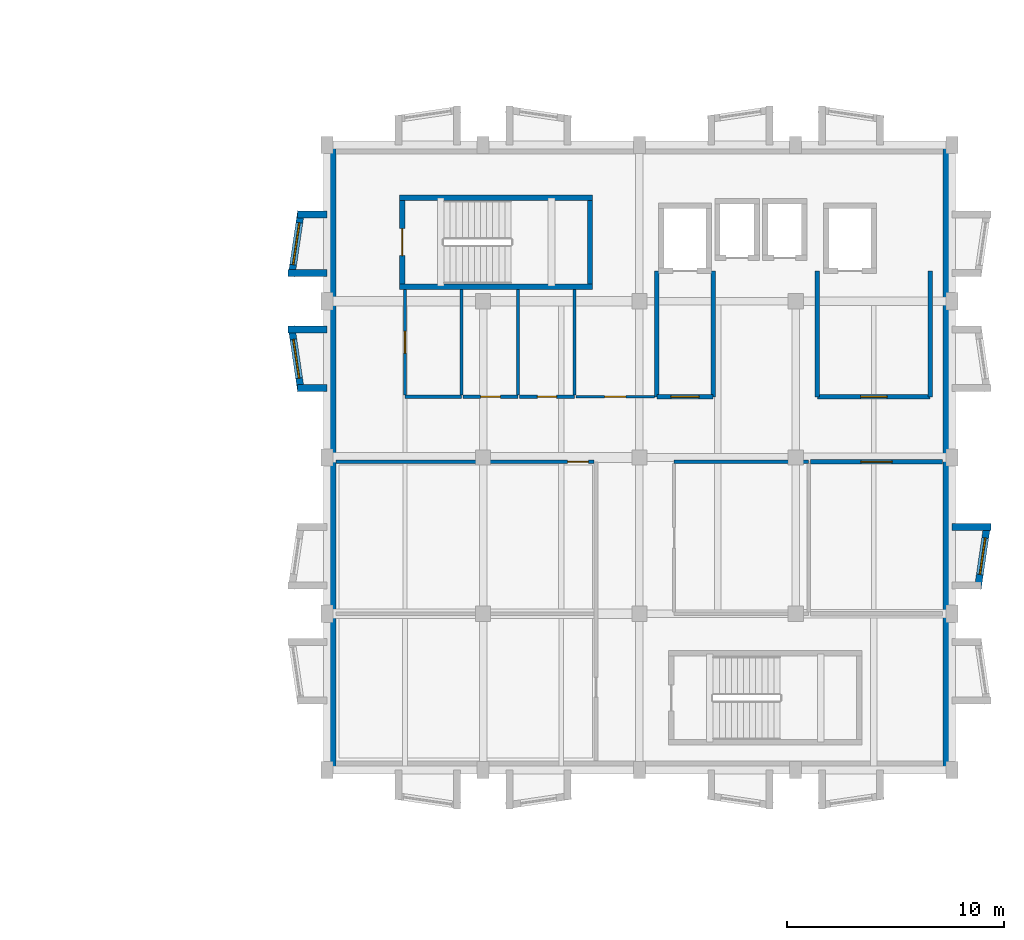
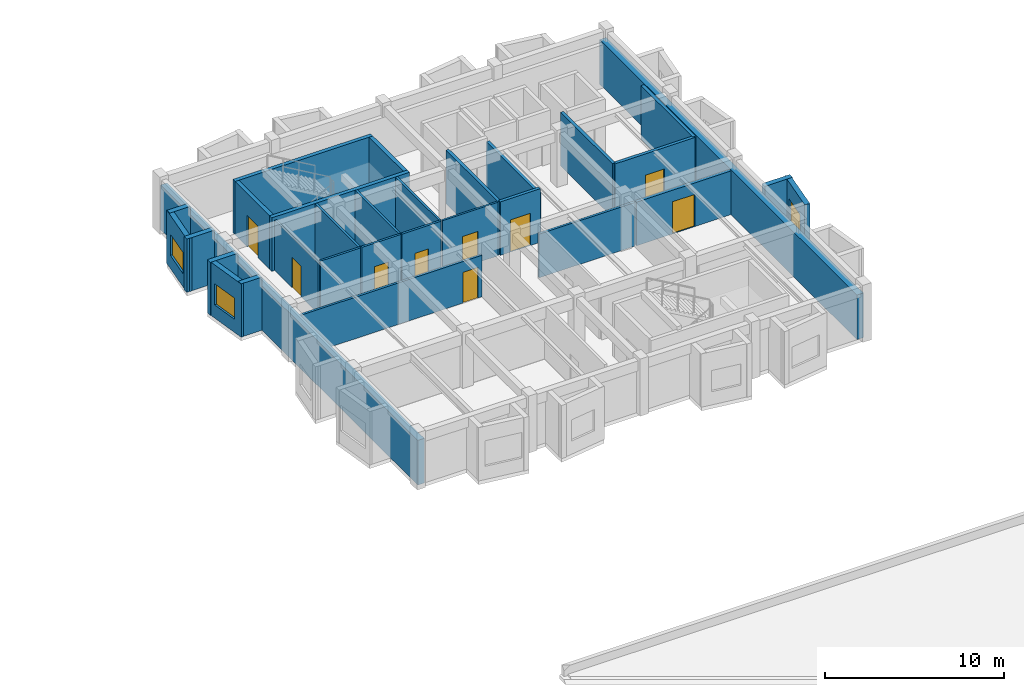
# One storey, part 14 of 20: 31 walls, 9 doors, 3 windows, 12 openings.
"""IFC4 building model written with IfcOpenShell, lengths in metres."""

from ifc_helpers import new_model, si_unit, direction, frame, frame_2d, origin, place, context, subcontext, project, spatial, rectangle, extrude, material, layer, layer_set, type_object, element, fill, save


model = new_model("IFC4")

# Units and contexts
model_context = context("Model", 3, precision=1e-05, world=origin(), true_north=direction((0.0, 1.0)))
body_context = subcontext(model_context, "Body", "Model", "MODEL_VIEW")
ifc_project = project(units=[si_unit("LENGTHUNIT", "METRE"), si_unit("AREAUNIT", "SQUARE_METRE"), si_unit("VOLUMEUNIT", "CUBIC_METRE"), si_unit("PLANEANGLEUNIT", "RADIAN"), si_unit("MASSUNIT", "GRAM", prefix="KILO")], contexts=[model_context])

# Site, building, storey
site_placement = place(None, origin())
site = spatial("IfcSite", under=ifc_project, at=site_placement, CompositionType="ELEMENT")
building_placement = place(site_placement, origin())
building = spatial("IfcBuilding", under=site, at=building_placement, Name="Bramveld Media Centre", CompositionType="ELEMENT")
storey_placement = place(building_placement, frame((0.0, 0.0, 18.0)))
storey = spatial("IfcBuildingStorey", under=building, at=storey_placement, Name="L04", CompositionType="ELEMENT", Elevation=18.0)

# Walls
ifc_material_1 = material(Name="Concrete C40/50 stair & lift core wall", Category="concrete")
ifc_layer_1 = layer(ifc_material_1, 0.25)
ifc_layer_set_1 = layer_set([ifc_layer_1], Name="Concrete C40/50 stair & lift core wall")
wall_type_1 = type_object("IfcWallType", Name="CWALL-SHEAR-250", PredefinedType="SHEAR", material=ifc_layer_set_1)
for number, where, z_axis, x_axis, name in (
    (1, (134.550048828125, 105.47509765625, 0.0), (0.0, 0.0, 1.0), (1.0, 0.0, 0.0), "ST-01 L04 stair core shear wall S"),
    (2, (143.449951171875, 109.574951171875, 0.0), (0.0, 0.0, 1.0), (-1.0, 0.0, 0.0), "ST-01 L04 stair core shear wall N"),
):
    element("IfcWall", number, at=place(storey_placement, frame(where, z_axis=z_axis, x_axis=x_axis)), inside=storey, type_object=wall_type_1, Name=name, PredefinedType="SHEAR", context=body_context, shape_type="SweptSolid", body=[
        extrude(rectangle(XDim=8.89990234375, YDim=0.25, at=frame_2d((4.449951171875, 0.0))), origin(), (0.0, 0.0, 1.0), 3.659912109375),
    ])

# Wall, opening, door
wall_1_placement = place(storey_placement, frame((134.675048828125, 109.449951171875, 0.0), z_axis=(0.0, 0.0, 1.0), x_axis=(0.0, -1.0, 0.0)))
wall_1 = element("IfcWall", 3, at=wall_1_placement, inside=storey, type_object=wall_type_1, Name="ST-01 L04 stair core shear wall W", PredefinedType="SHEAR", context=body_context, shape_type="SweptSolid", body=[
    extrude(rectangle(XDim=3.849853515625, YDim=0.25, at=frame_2d((1.9248046875, 0.0))), origin(), (0.0, 0.0, 1.0), 3.659912109375),
])
opening_1_placement = place(wall_1_placement, frame((1.300048828125, 0.0, 0.0)))
opening_1 = element("IfcOpeningElement", 4, at=opening_1_placement, cuts=wall_1, Name="Opening SD-01-L04", PredefinedType="OPENING", context=body_context, shape_type="SweptSolid", body=[
    extrude(rectangle(XDim=1.25, YDim=2.14990234375, at=frame_2d((0.625, 1.074951171875))), frame((0.0, 0.136962890625, 0.0), z_axis=(0.0, -1.0, 0.0), x_axis=(1.0, 0.0, 0.0)), (0.0, 0.0, 1.0), 0.27392578125),
])
ifc_material_2 = material(Name="Painted galvanized steel acoustic fire door with intumescent smoke seals", Category="steel")
door_type_1 = type_object("IfcDoorType", Name="DR-ST-1250", OperationType="NOTDEFINED", PredefinedType="DOOR", material=ifc_material_2)
door_1_placement = place(opening_1_placement, origin())
door_1 = element("IfcDoor", 5, at=door_1_placement, inside=storey, type_object=door_type_1, Name="ST-01 L04 pressurized stair fire door", OperationType="SINGLE_SWING_LEFT", OverallHeight=2.14990234375, OverallWidth=1.25, PredefinedType="DOOR", context=body_context, shape_type="SweptSolid", body=[
    extrude(rectangle(XDim=1.25, YDim=2.14990234375, at=frame_2d((0.625, 1.074951171875))), frame((0.0, 0.02490234375, 0.0), z_axis=(0.0, -1.0, 0.0), x_axis=(1.0, 0.0, 0.0)), (0.0, 0.0, 1.0), 0.050048828125),
])
fill(opening_1, door_1)

# Walls
wall_2_placement = place(storey_placement, frame((143.324951171875, 105.60009765625, 0.0), z_axis=(0.0, 0.0, 1.0), x_axis=(0.0, 1.0, 0.0)))
element("IfcWall", 6, at=wall_2_placement, inside=storey, type_object=wall_type_1, Name="ST-01 L04 stair core shear wall E", PredefinedType="SHEAR", context=body_context, shape_type="SweptSolid", body=[
    extrude(rectangle(XDim=3.849853515625, YDim=0.25, at=frame_2d((1.9248046875, 0.0))), origin(), (0.0, 0.0, 1.0), 3.659912109375),
])
ifc_material_3 = material(Name="Flemish red-brown clay facing brick cavity wall with concrete C35/45 inner leaf", Category="masonry")
ifc_layer_2 = layer(ifc_material_3, 0.419921875)
ifc_layer_set_2 = layer_set([ifc_layer_2], Name="Flemish red-brown clay facing brick cavity wall with concrete C35/45 inner leaf")
wall_type_2 = type_object("IfcWallType", Name="EW-BRK-420", PredefinedType="SOLIDWALL", material=ifc_layer_set_2)
for number, where, z_axis, x_axis, name in (
    (7, (159.7900390625, 112.0, 0.0), (0.0, 0.0, 1.0), (0.0, -1.0, 0.0), "V7 L04 E facing brick exterior wall"),
    (8, (131.409912109375, 83.199951171875, 0.0), (0.0, 0.0, 1.0), (0.0, 1.0, 0.0), "V7 L04 W facing brick exterior wall"),
):
    element("IfcWall", number, at=place(storey_placement, frame(where, z_axis=z_axis, x_axis=x_axis)), inside=storey, type_object=wall_type_2, Name=name, PredefinedType="SOLIDWALL", context=body_context, shape_type="SweptSolid", body=[
        extrude(rectangle(XDim=28.800048828125, YDim=0.419921875, at=frame_2d((14.39990234375, 0.0))), origin(), (0.0, 0.0, 1.0), 3.054931640625),
    ])

# Wall, opening, window
ifc_material_4 = material(Name="Precast concrete C40/50 & brick-slip faceted bay cheek wall", Category="masonry")
ifc_layer_3 = layer(ifc_material_4, 0.320068359375)
ifc_layer_set_3 = layer_set([ifc_layer_3], Name="Precast concrete C40/50 & brick-slip faceted bay cheek wall")
wall_type_3 = type_object("IfcWallType", Name="EW-FACET-320", PredefinedType="SOLIDWALL", material=ifc_layer_set_3)
wall_3_placement = place(storey_placement, frame((161.18994140625, 91.550048828125, 0.0), z_axis=(0.0, 0.0, 1.0), x_axis=(0.146119746268, 0.989266910268, 0.0)))
wall_3 = element("IfcWall", 9, at=wall_3_placement, inside=storey, type_object=wall_type_3, Name="V7 L04 E angled faceted bay front wall 2", PredefinedType="SOLIDWALL", context=body_context, shape_type="SweptSolid", body=[
    extrude(rectangle(XDim=3.032470703125, YDim=0.320068359375, at=frame_2d((1.51611328125, 0.0))), origin(), (0.0, 0.0, 1.0), 3.639892578125),
])
opening_2_placement = place(wall_3_placement, frame((0.666259765625, 0.0, 0.89990234375)))
opening_2 = element("IfcOpeningElement", 10, at=opening_2_placement, cuts=wall_3, Name="Opening W-29", PredefinedType="OPENING", context=body_context, shape_type="SweptSolid", body=[
    extrude(rectangle(XDim=1.699951171875, YDim=1.60009765625, at=frame_2d((0.85009765625, 0.800048828125))), frame((0.0, 0.171875, 0.0), z_axis=(0.0, -1.0, 0.0), x_axis=(1.0, 0.0, 0.0)), (0.0, 0.0, 1.0), 0.343994140625),
])
ifc_material_5 = material(Name="Thermally broken anodized bronze aluminium frame with triple acoustic glazing", Category="aluminium")
window_type_1 = type_object("IfcWindowType", Name="WIN-FAC-29", PartitioningType="SINGLE_PANEL", PredefinedType="WINDOW", material=ifc_material_5)
window_1_placement = place(opening_2_placement, origin())
window_1 = element("IfcWindow", 11, at=window_1_placement, inside=storey, type_object=window_type_1, Name="V7 L04 E faceted bay window 2", OverallHeight=1.60009765625, OverallWidth=1.699951171875, PartitioningType="SINGLE_PANEL", PredefinedType="WINDOW", context=body_context, shape_type="SweptSolid", body=[
    extrude(rectangle(XDim=1.699951171875, YDim=1.60009765625, at=frame_2d((0.85009765625, 0.800048828125))), frame((0.0, 0.030029296875, 0.0), z_axis=(0.0, -1.0, 0.0), x_axis=(1.0, 0.0, 0.0)), (0.0, 0.0, 1.0), 0.06005859375),
])
fill(opening_2, window_1)

# Wall
wall_4_placement = place(storey_placement, frame((160.0, 94.389892578125, 0.0), z_axis=(0.0, 0.0, 1.0), x_axis=(1.0, 0.0, 0.0)))
element("IfcWall", 12, at=wall_4_placement, inside=storey, type_object=wall_type_3, Name="V7 L04 E faceted bay cheek wall", PredefinedType="SOLIDWALL", context=body_context, shape_type="SweptSolid", body=[
    extrude(rectangle(XDim=1.79296875, YDim=0.320068359375, at=frame_2d((0.896484375, 0.0))), origin(), (0.0, 0.0, 1.0), 3.639892578125),
])

# Wall, opening, window
wall_5_placement = place(storey_placement, frame((129.56689453125, 103.64990234375, 0.0), z_axis=(0.0, 0.0, 1.0), x_axis=(0.146119746268, -0.989266910268, 0.0)))
wall_5 = element("IfcWall", 13, at=wall_5_placement, inside=storey, type_object=wall_type_3, Name="V7 L04 W angled faceted bay front wall 3", PredefinedType="SOLIDWALL", context=body_context, shape_type="SweptSolid", body=[
    extrude(rectangle(XDim=3.032470703125, YDim=0.320068359375, at=frame_2d((1.51611328125, 0.0))), origin(), (0.0, 0.0, 1.0), 3.639892578125),
])
opening_3_placement = place(wall_5_placement, frame((0.6162109375, 0.0, 0.89990234375)))
opening_3 = element("IfcOpeningElement", 14, at=opening_3_placement, cuts=wall_5, Name="Opening W-26", PredefinedType="OPENING", context=body_context, shape_type="SweptSolid", body=[
    extrude(rectangle(XDim=1.800048828125, YDim=1.449951171875, at=frame_2d((0.89990234375, 0.72509765625))), frame((0.0, 0.171875, 0.0), z_axis=(0.0, -1.0, 0.0), x_axis=(1.0, 0.0, 0.0)), (0.0, 0.0, 1.0), 0.343994140625),
])
ifc_material_6 = material(Name="Thermally broken anodized bronze aluminium frame with triple acoustic glazing", Category="aluminium")
window_type_2 = type_object("IfcWindowType", Name="WIN-FAC-26", PartitioningType="SINGLE_PANEL", PredefinedType="WINDOW", material=ifc_material_6)
window_2_placement = place(opening_3_placement, origin())
window_2 = element("IfcWindow", 15, at=window_2_placement, inside=storey, type_object=window_type_2, Name="V7 L04 W faceted bay window 3", OverallHeight=1.449951171875, OverallWidth=1.800048828125, PartitioningType="SINGLE_PANEL", PredefinedType="WINDOW", context=body_context, shape_type="SweptSolid", body=[
    extrude(rectangle(XDim=1.800048828125, YDim=1.449951171875, at=frame_2d((0.89990234375, 0.72509765625))), frame((0.0, 0.030029296875, 0.0), z_axis=(0.0, -1.0, 0.0), x_axis=(1.0, 0.0, 0.0)), (0.0, 0.0, 1.0), 0.06005859375),
])
fill(opening_3, window_2)

# Walls
wall_6_placement = place(storey_placement, frame((131.199951171875, 100.81005859375, 0.0), z_axis=(0.0, 0.0, 1.0), x_axis=(-1.0, 0.0, 0.0)))
element("IfcWall", 16, at=wall_6_placement, inside=storey, type_object=wall_type_3, Name="V7 L04 W faceted bay cheek wall", PredefinedType="SOLIDWALL", context=body_context, shape_type="SweptSolid", body=[
    extrude(rectangle(XDim=1.349853515625, YDim=0.320068359375, at=frame_2d((0.6748046875, 0.0))), origin(), (0.0, 0.0, 1.0), 3.639892578125),
])
wall_7_placement = place(storey_placement, frame((131.199951171875, 103.489990234375, 0.0), z_axis=(0.0, 0.0, 1.0), x_axis=(-1.0, 0.0, 0.0)))
element("IfcWall", 17, at=wall_7_placement, inside=storey, type_object=wall_type_3, Name="V7 L04 W faceted bay cheek wall", PredefinedType="SOLIDWALL", context=body_context, shape_type="SweptSolid", body=[
    extrude(rectangle(XDim=1.79296875, YDim=0.320068359375, at=frame_2d((0.896484375, 0.0))), origin(), (0.0, 0.0, 1.0), 3.639892578125),
])

# Wall, opening, window
wall_8_placement = place(storey_placement, frame((130.010009765625, 108.949951171875, 0.0), z_axis=(0.0, 0.0, 1.0), x_axis=(-0.146119746268, -0.989266910268, 0.0)))
wall_8 = element("IfcWall", 18, at=wall_8_placement, inside=storey, type_object=wall_type_3, Name="V7 L04 W angled faceted bay front wall 4", PredefinedType="SOLIDWALL", context=body_context, shape_type="SweptSolid", body=[
    extrude(rectangle(XDim=3.032470703125, YDim=0.320068359375, at=frame_2d((1.51611328125, 0.0))), origin(), (0.0, 0.0, 1.0), 3.639892578125),
])
opening_4_placement = place(wall_8_placement, frame((0.541259765625, 0.0, 0.89990234375)))
opening_4 = element("IfcOpeningElement", 19, at=opening_4_placement, cuts=wall_8, Name="Opening W-27", PredefinedType="OPENING", context=body_context, shape_type="SweptSolid", body=[
    extrude(rectangle(XDim=1.949951171875, YDim=1.449951171875, at=frame_2d((0.97509765625, 0.72509765625))), frame((0.0, 0.171875, 0.0), z_axis=(0.0, -1.0, 0.0), x_axis=(1.0, 0.0, 0.0)), (0.0, 0.0, 1.0), 0.343994140625),
])
ifc_material_7 = material(Name="Thermally broken anodized bronze aluminium frame with triple acoustic glazing", Category="aluminium")
window_type_3 = type_object("IfcWindowType", Name="WIN-FAC-27", PartitioningType="SINGLE_PANEL", PredefinedType="WINDOW", material=ifc_material_7)
window_3_placement = place(opening_4_placement, origin())
window_3 = element("IfcWindow", 20, at=window_3_placement, inside=storey, type_object=window_type_3, Name="V7 L04 W faceted bay window 4", OverallHeight=1.449951171875, OverallWidth=1.949951171875, PartitioningType="SINGLE_PANEL", PredefinedType="WINDOW", context=body_context, shape_type="SweptSolid", body=[
    extrude(rectangle(XDim=1.949951171875, YDim=1.449951171875, at=frame_2d((0.97509765625, 0.72509765625))), frame((0.0, 0.030029296875, 0.0), z_axis=(0.0, -1.0, 0.0), x_axis=(1.0, 0.0, 0.0)), (0.0, 0.0, 1.0), 0.06005859375),
])
fill(opening_4, window_3)

# Walls
wall_9_placement = place(storey_placement, frame((131.199951171875, 106.110107421875, 0.0), z_axis=(0.0, 0.0, 1.0), x_axis=(-1.0, 0.0, 0.0)))
element("IfcWall", 21, at=wall_9_placement, inside=storey, type_object=wall_type_3, Name="V7 L04 W faceted bay cheek wall", PredefinedType="SOLIDWALL", context=body_context, shape_type="SweptSolid", body=[
    extrude(rectangle(XDim=1.79296875, YDim=0.320068359375, at=frame_2d((0.896484375, 0.0))), origin(), (0.0, 0.0, 1.0), 3.639892578125),
])
wall_10_placement = place(storey_placement, frame((131.199951171875, 108.7900390625, 0.0), z_axis=(0.0, 0.0, 1.0), x_axis=(-1.0, 0.0, 0.0)))
element("IfcWall", 22, at=wall_10_placement, inside=storey, type_object=wall_type_3, Name="V7 L04 W faceted bay cheek wall", PredefinedType="SOLIDWALL", context=body_context, shape_type="SweptSolid", body=[
    extrude(rectangle(XDim=1.349853515625, YDim=0.320068359375, at=frame_2d((0.6748046875, 0.0))), origin(), (0.0, 0.0, 1.0), 3.639892578125),
])

# Wall, opening, door
ifc_material_8 = material(Name="Acoustic calcium-silicate & mineral-wool compartment partition", Category="masonry")
ifc_layer_4 = layer(ifc_material_8, 0.199951171875)
ifc_layer_set_4 = layer_set([ifc_layer_4], Name="Acoustic calcium-silicate & mineral-wool compartment partition")
wall_type_4 = type_object("IfcWallType", Name="IW-ACOU-200", PredefinedType="PARTITIONING", material=ifc_layer_set_4)
wall_11_placement = place(storey_placement, frame((146.39990234375, 100.39990234375, 0.0), z_axis=(0.0, 0.0, 1.0), x_axis=(1.0, 0.0, 0.0)))
wall_11 = element("IfcWall", 23, at=wall_11_placement, inside=storey, type_object=wall_type_4, Name="FL-01 L04 EI 120 firefighting lift lobby wall S", PredefinedType="PARTITIONING", context=body_context, shape_type="SweptSolid", body=[
    extrude(rectangle(XDim=2.60009765625, YDim=0.199951171875, at=frame_2d((1.300048828125, 0.0))), origin(), (0.0, 0.0, 1.0), 3.659912109375),
])
opening_5_placement = place(wall_11_placement, frame((0.64990234375, 0.0, 0.0)))
opening_5 = element("IfcOpeningElement", 24, at=opening_5_placement, cuts=wall_11, Name="Opening FD-01-L04", PredefinedType="OPENING", context=body_context, shape_type="SweptSolid", body=[
    extrude(rectangle(XDim=1.300048828125, YDim=2.199951171875, at=frame_2d((0.64990234375, 1.10009765625))), frame((0.0, 0.11181640625, 0.0), z_axis=(0.0, -1.0, 0.0), x_axis=(1.0, 0.0, 0.0)), (0.0, 0.0, 1.0), 0.223876953125),
])
ifc_material_9 = material(Name="Painted galvanized steel acoustic fire door with intumescent smoke seals", Category="steel")
door_type_2 = type_object("IfcDoorType", Name="DR-FFL-1300", OperationType="NOTDEFINED", PredefinedType="DOOR", material=ifc_material_9)
door_2_placement = place(opening_5_placement, origin())
door_2 = element("IfcDoor", 25, at=door_2_placement, inside=storey, type_object=door_type_2, Name="FL-01 L04 firefighting lobby smoke-control door", OperationType="SINGLE_SWING_LEFT", OverallHeight=2.199951171875, OverallWidth=1.300048828125, PredefinedType="DOOR", context=body_context, shape_type="SweptSolid", body=[
    extrude(rectangle(XDim=1.300048828125, YDim=2.199951171875, at=frame_2d((0.64990234375, 1.10009765625))), frame((0.0, 0.02490234375, 0.0), z_axis=(0.0, -1.0, 0.0), x_axis=(1.0, 0.0, 0.0)), (0.0, 0.0, 1.0), 0.050048828125),
])
fill(opening_5, door_2)

# Walls
wall_12_placement = place(storey_placement, frame((146.39990234375, 106.199951171875, 0.0), z_axis=(0.0, 0.0, 1.0), x_axis=(0.0, -1.0, 0.0)))
element("IfcWall", 26, at=wall_12_placement, inside=storey, type_object=wall_type_4, Name="FL-01 L04 EI 120 firefighting lift lobby wall W", PredefinedType="PARTITIONING", context=body_context, shape_type="SweptSolid", body=[
    extrude(rectangle(XDim=5.800048828125, YDim=0.199951171875, at=frame_2d((2.89990234375, 0.0))), origin(), (0.0, 0.0, 1.0), 3.659912109375),
])
wall_13_placement = place(storey_placement, frame((149.0, 100.39990234375, 0.0), z_axis=(0.0, 0.0, 1.0), x_axis=(0.0, 1.0, 0.0)))
element("IfcWall", 27, at=wall_13_placement, inside=storey, type_object=wall_type_4, Name="FL-01 L04 EI 120 firefighting lift lobby wall E", PredefinedType="PARTITIONING", context=body_context, shape_type="SweptSolid", body=[
    extrude(rectangle(XDim=5.800048828125, YDim=0.199951171875, at=frame_2d((2.89990234375, 0.0))), origin(), (0.0, 0.0, 1.0), 3.324951171875),
])

# Wall, opening, door
wall_14_placement = place(storey_placement, frame((153.800048828125, 100.39990234375, 0.0), z_axis=(0.0, 0.0, 1.0), x_axis=(1.0, 0.0, 0.0)))
wall_14 = element("IfcWall", 28, at=wall_14_placement, inside=storey, type_object=wall_type_4, Name="FL-02 L04 EI 120 firefighting lift lobby wall S", PredefinedType="PARTITIONING", context=body_context, shape_type="SweptSolid", body=[
    extrude(rectangle(XDim=5.199951171875, YDim=0.199951171875, at=frame_2d((2.60009765625, 0.0))), origin(), (0.0, 0.0, 1.0), 3.659912109375),
])
opening_6_placement = place(wall_14_placement, frame((1.989990234375, 0.0, 0.0)))
opening_6 = element("IfcOpeningElement", 29, at=opening_6_placement, cuts=wall_14, Name="Opening FD-02-L04", PredefinedType="OPENING", context=body_context, shape_type="SweptSolid", body=[
    extrude(rectangle(XDim=1.219970703125, YDim=2.199951171875, at=frame_2d((0.60986328125, 1.10009765625))), frame((0.0, 0.11181640625, 0.0), z_axis=(0.0, -1.0, 0.0), x_axis=(1.0, 0.0, 0.0)), (0.0, 0.0, 1.0), 0.223876953125),
])
ifc_material_10 = material(Name="Painted galvanized steel acoustic fire door with intumescent smoke seals", Category="steel")
door_type_3 = type_object("IfcDoorType", Name="DR-FFL-1220", OperationType="NOTDEFINED", PredefinedType="DOOR", material=ifc_material_10)
door_3_placement = place(opening_6_placement, origin())
door_3 = element("IfcDoor", 30, at=door_3_placement, inside=storey, type_object=door_type_3, Name="FL-02 L04 firefighting lobby smoke-control door", OperationType="SINGLE_SWING_LEFT", OverallHeight=2.199951171875, OverallWidth=1.219970703125, PredefinedType="DOOR", context=body_context, shape_type="SweptSolid", body=[
    extrude(rectangle(XDim=1.219970703125, YDim=2.199951171875, at=frame_2d((0.60986328125, 1.10009765625))), frame((0.0, 0.02490234375, 0.0), z_axis=(0.0, -1.0, 0.0), x_axis=(1.0, 0.0, 0.0)), (0.0, 0.0, 1.0), 0.050048828125),
])
fill(opening_6, door_3)

# Walls
for number, where, z_axis, x_axis, name in (
    (31, (153.800048828125, 106.199951171875, 0.0), (0.0, 0.0, 1.0), (0.0, -1.0, 0.0), "FL-02 L04 EI 120 firefighting lift lobby wall W"),
    (32, (159.0, 100.39990234375, 0.0), (0.0, 0.0, 1.0), (0.0, 1.0, 0.0), "FL-02 L04 EI 120 firefighting lift lobby wall E"),
):
    element("IfcWall", number, at=place(storey_placement, frame(where, z_axis=z_axis, x_axis=x_axis)), inside=storey, type_object=wall_type_4, Name=name, PredefinedType="PARTITIONING", context=body_context, shape_type="SweptSolid", body=[
        extrude(rectangle(XDim=5.800048828125, YDim=0.199951171875, at=frame_2d((2.89990234375, 0.0))), origin(), (0.0, 0.0, 1.0), 3.659912109375),
    ])

# Wall, opening, door
wall_15_placement = place(storey_placement, frame((153.485107421875, 97.39990234375, 0.0), z_axis=(0.0, 0.0, 1.0), x_axis=(1.0, 0.0, 0.0)))
wall_15 = element("IfcWall", 33, at=wall_15_placement, inside=storey, type_object=wall_type_4, Name="Server & Media Cloud Cooling Room partition wall", PredefinedType="PARTITIONING", context=body_context, shape_type="SweptSolid", body=[
    extrude(rectangle(XDim=6.0849609375, YDim=0.199951171875, at=frame_2d((3.04248046875, 0.0))), origin(), (0.0, 0.0, 1.0), 2.985107421875),
])
opening_7_placement = place(wall_15_placement, frame((2.322509765625, 0.0, 0.0)))
opening_7 = element("IfcOpeningElement", 34, at=opening_7_placement, cuts=wall_15, Name="Opening D-04-189", PredefinedType="OPENING", context=body_context, shape_type="SweptSolid", body=[
    extrude(rectangle(XDim=1.43994140625, YDim=2.199951171875, at=frame_2d((0.719970703125, 1.10009765625))), frame((0.0, 0.11181640625, 0.0), z_axis=(0.0, -1.0, 0.0), x_axis=(1.0, 0.0, 0.0)), (0.0, 0.0, 1.0), 0.223876953125),
])
ifc_material_11 = material(Name="Fire-rated acoustic timber & steel composite door", Category="steel")
door_type_4 = type_object("IfcDoorType", Name="DR-PLANT-1440", OperationType="NOTDEFINED", PredefinedType="DOOR", material=ifc_material_11)
door_4_placement = place(opening_7_placement, origin())
door_4 = element("IfcDoor", 35, at=door_4_placement, inside=storey, type_object=door_type_4, Name="Server & Media Cloud Cooling Room entrance door", OperationType="SINGLE_SWING_LEFT", OverallHeight=2.199951171875, OverallWidth=1.43994140625, PredefinedType="DOOR", context=body_context, shape_type="SweptSolid", body=[
    extrude(rectangle(XDim=1.43994140625, YDim=2.199951171875, at=frame_2d((0.719970703125, 1.10009765625))), frame((0.0, 0.02490234375, 0.0), z_axis=(0.0, -1.0, 0.0), x_axis=(1.0, 0.0, 0.0)), (0.0, 0.0, 1.0), 0.050048828125),
])
fill(opening_7, door_4)

ifc_material_12 = material(Name="Lightweight acoustic stud partition", Category="gypsum")
ifc_layer_5 = layer(ifc_material_12, 0.125)
ifc_layer_set_5 = layer_set([ifc_layer_5], Name="Lightweight acoustic stud partition")
wall_type_5 = type_object("IfcWallType", Name="IW-PART-125", PredefinedType="PARTITIONING", material=ifc_layer_set_5)
wall_16_placement = place(storey_placement, frame((142.679931640625, 100.39990234375, 0.0), z_axis=(0.0, 0.0, 1.0), x_axis=(1.0, 0.0, 0.0)))
wall_16 = element("IfcWall", 36, at=wall_16_placement, inside=storey, type_object=wall_type_5, Name="Media Editing Booth L04 partition wall", PredefinedType="PARTITIONING", context=body_context, shape_type="SweptSolid", body=[
    extrude(rectangle(XDim=3.610107421875, YDim=0.125, at=frame_2d((1.80517578125, 0.0))), origin(), (0.0, 0.0, 1.0), 3.659912109375),
])
opening_8_placement = place(wall_16_placement, frame((1.31494140625, 0.0, 0.0)))
opening_8 = element("IfcOpeningElement", 37, at=opening_8_placement, cuts=wall_16, Name="Opening D-04-185", PredefinedType="OPENING", context=body_context, shape_type="SweptSolid", body=[
    extrude(rectangle(XDim=0.97998046875, YDim=2.1201171875, at=frame_2d((0.489990234375, 1.06005859375))), frame((0.0, 0.074462890625, 0.0), z_axis=(0.0, -1.0, 0.0), x_axis=(1.0, 0.0, 0.0)), (0.0, 0.0, 1.0), 0.14892578125),
])
ifc_material_13 = material(Name="Solid-core European oak acoustic timber leaf in steel frame", Category="steel")
door_type_5 = type_object("IfcDoorType", Name="DR-RM-0980", OperationType="NOTDEFINED", PredefinedType="DOOR", material=ifc_material_13)
door_5_placement = place(opening_8_placement, origin())
door_5 = element("IfcDoor", 38, at=door_5_placement, inside=storey, type_object=door_type_5, Name="Media Editing Booth L04 entrance door", OperationType="SINGLE_SWING_LEFT", OverallHeight=2.1201171875, OverallWidth=0.97998046875, PredefinedType="DOOR", context=body_context, shape_type="SweptSolid", body=[
    extrude(rectangle(XDim=0.97998046875, YDim=2.1201171875, at=frame_2d((0.489990234375, 1.06005859375))), frame((0.0, 0.02490234375, 0.0), z_axis=(0.0, -1.0, 0.0), x_axis=(1.0, 0.0, 0.0)), (0.0, 0.0, 1.0), 0.050048828125),
])
fill(opening_8, door_5)

ifc_material_14 = material(Name="Insulated metal-stud gypsum room partition", Category="gypsum")
ifc_layer_6 = layer(ifc_material_14, 0.14990234375)
ifc_layer_set_6 = layer_set([ifc_layer_6], Name="Insulated metal-stud gypsum room partition")
wall_type_6 = type_object("IfcWallType", Name="IW-PART-150", PredefinedType="PARTITIONING", material=ifc_layer_set_6)
wall_17_placement = place(storey_placement, frame((131.6298828125, 97.39990234375, 0.0), z_axis=(0.0, 0.0, 1.0), x_axis=(1.0, 0.0, 0.0)))
wall_17 = element("IfcWall", 39, at=wall_17_placement, inside=storey, type_object=wall_type_6, Name="Sound-Design & Game Audio Studio partition wall", PredefinedType="PARTITIONING", context=body_context, shape_type="SweptSolid", body=[
    extrude(rectangle(XDim=11.8701171875, YDim=0.14990234375, at=frame_2d((5.93505859375, 0.0))), origin(), (0.0, 0.0, 1.0), 2.8349609375),
])
opening_9_placement = place(wall_17_placement, frame((10.659912109375, 0.0, 0.0)))
opening_9 = element("IfcOpeningElement", 40, at=opening_9_placement, cuts=wall_17, Name="Opening D-04-186", PredefinedType="OPENING", context=body_context, shape_type="SweptSolid", body=[
    extrude(rectangle(XDim=0.9599609375, YDim=2.10009765625, at=frame_2d((0.47998046875, 1.050048828125))), frame((0.0, 0.0869140625, 0.0), z_axis=(0.0, -1.0, 0.0), x_axis=(1.0, 0.0, 0.0)), (0.0, 0.0, 1.0), 0.173828125),
])
ifc_material_15 = material(Name="Solid-core European oak acoustic timber leaf in steel frame", Category="steel")
door_type_6 = type_object("IfcDoorType", Name="DR-RM-0960", OperationType="NOTDEFINED", PredefinedType="DOOR", material=ifc_material_15)
door_6_placement = place(opening_9_placement, origin())
door_6 = element("IfcDoor", 41, at=door_6_placement, inside=storey, type_object=door_type_6, Name="Sound-Design & Game Audio Studio entrance door", OperationType="SINGLE_SWING_RIGHT", OverallHeight=2.10009765625, OverallWidth=0.9599609375, PredefinedType="DOOR", context=body_context, shape_type="SweptSolid", body=[
    extrude(rectangle(XDim=0.9599609375, YDim=2.10009765625, at=frame_2d((0.47998046875, 1.050048828125))), frame((0.0, 0.02490234375, 0.0), z_axis=(0.0, -1.0, 0.0), x_axis=(1.0, 0.0, 0.0)), (0.0, 0.0, 1.0), 0.050048828125),
])
fill(opening_9, door_6)

# Walls
wall_18_placement = place(storey_placement, frame((147.199951171875, 97.39990234375, 0.0), z_axis=(0.0, 0.0, 1.0), x_axis=(1.0, 0.0, 0.0)))
element("IfcWall", 42, at=wall_18_placement, inside=storey, type_object=wall_type_6, Name="Immersive XR Production Stage partition wall", PredefinedType="PARTITIONING", context=body_context, shape_type="SweptSolid", body=[
    extrude(rectangle(XDim=6.199951171875, YDim=0.14990234375, at=frame_2d((3.10009765625, 0.0))), origin(), (0.0, 0.0, 1.0), 2.985107421875),
])
ifc_material_16 = material(Name="Moisture-resistant cement-board sanitary partition", Category="gypsum")
ifc_layer_7 = layer(ifc_material_16, 0.139892578125)
ifc_layer_set_7 = layer_set([ifc_layer_7], Name="Moisture-resistant cement-board sanitary partition")
wall_type_7 = type_object("IfcWallType", Name="IW-WET-140", PredefinedType="PARTITIONING", material=ifc_layer_set_7)
wall_19_placement = place(storey_placement, frame((134.800048828125, 100.39990234375, 0.0), z_axis=(0.0, 0.0, 1.0), x_axis=(1.0, 0.0, 0.0)))
element("IfcWall", 43, at=wall_19_placement, inside=storey, type_object=wall_type_7, Name="Accessible WC partition wall", PredefinedType="PARTITIONING", context=body_context, shape_type="SweptSolid", body=[
    extrude(rectangle(XDim=2.599853515625, YDim=0.139892578125, at=frame_2d((1.2998046875, 0.0))), origin(), (0.0, 0.0, 1.0), 3.659912109375),
])

# Wall, opening, door
wall_20_placement = place(storey_placement, frame((134.800048828125, 100.47998046875, 0.0), z_axis=(0.0, 0.0, 1.0), x_axis=(0.0, 1.0, 0.0)))
wall_20 = element("IfcWall", 44, at=wall_20_placement, inside=storey, type_object=wall_type_7, Name="Accessible WC partition wall", PredefinedType="PARTITIONING", context=body_context, shape_type="SweptSolid", body=[
    extrude(rectangle(XDim=4.860107421875, YDim=0.139892578125, at=frame_2d((2.43017578125, 0.0))), origin(), (0.0, 0.0, 1.0), 3.445068359375),
])
opening_10_placement = place(wall_20_placement, frame((1.929931640625, 0.0, 0.0)))
opening_10 = element("IfcOpeningElement", 45, at=opening_10_placement, cuts=wall_20, Name="Opening D-04-182", PredefinedType="OPENING", context=body_context, shape_type="SweptSolid", body=[
    extrude(rectangle(XDim=1.0, YDim=2.10009765625, at=frame_2d((0.5, 1.050048828125))), frame((0.0, 0.08203125, 0.0), z_axis=(0.0, -1.0, 0.0), x_axis=(1.0, 0.0, 0.0)), (0.0, 0.0, 1.0), 0.163818359375),
])
ifc_material_17 = material(Name="Solid-core European oak acoustic timber leaf in steel frame", Category="steel")
door_type_7 = type_object("IfcDoorType", Name="DR-WC-PMR-1000", OperationType="NOTDEFINED", PredefinedType="DOOR", material=ifc_material_17)
door_7_placement = place(opening_10_placement, origin())
door_7 = element("IfcDoor", 46, at=door_7_placement, inside=storey, type_object=door_type_7, Name="Accessible WC entrance door", OperationType="SINGLE_SWING_RIGHT", OverallHeight=2.10009765625, OverallWidth=1.0, PredefinedType="DOOR", context=body_context, shape_type="SweptSolid", body=[
    extrude(rectangle(XDim=1.0, YDim=2.10009765625, at=frame_2d((0.5, 1.050048828125))), frame((0.0, 0.02490234375, 0.0), z_axis=(0.0, -1.0, 0.0), x_axis=(1.0, 0.0, 0.0)), (0.0, 0.0, 1.0), 0.050048828125),
])
fill(opening_10, door_7)

# Wall
wall_21_placement = place(storey_placement, frame((137.39990234375, 100.47998046875, 0.0), z_axis=(0.0, 0.0, 1.0), x_axis=(0.0, 1.0, 0.0)))
element("IfcWall", 47, at=wall_21_placement, inside=storey, type_object=wall_type_7, Name="Accessible WC partition wall", PredefinedType="PARTITIONING", context=body_context, shape_type="SweptSolid", body=[
    extrude(rectangle(XDim=4.860107421875, YDim=0.139892578125, at=frame_2d((2.43017578125, 0.0))), origin(), (0.0, 0.0, 1.0), 3.659912109375),
])

# Wall, opening, door
wall_22_placement = place(storey_placement, frame((137.47998046875, 100.39990234375, 0.0), z_axis=(0.0, 0.0, 1.0), x_axis=(1.0, 0.0, 0.0)))
wall_22 = element("IfcWall", 48, at=wall_22_placement, inside=storey, type_object=wall_type_7, Name="Male WC partition wall", PredefinedType="PARTITIONING", context=body_context, shape_type="SweptSolid", body=[
    extrude(rectangle(XDim=2.52001953125, YDim=0.139892578125, at=frame_2d((1.260009765625, 0.0))), origin(), (0.0, 0.0, 1.0), 3.659912109375),
])
opening_11_placement = place(wall_22_placement, frame((0.804931640625, 0.0, 0.0)))
opening_11 = element("IfcOpeningElement", 49, at=opening_11_placement, cuts=wall_22, Name="Opening D-04-183", PredefinedType="OPENING", context=body_context, shape_type="SweptSolid", body=[
    extrude(rectangle(XDim=0.909912109375, YDim=2.06005859375, at=frame_2d((0.455078125, 1.030029296875))), frame((0.0, 0.08203125, 0.0), z_axis=(0.0, -1.0, 0.0), x_axis=(1.0, 0.0, 0.0)), (0.0, 0.0, 1.0), 0.163818359375),
])
ifc_material_18 = material(Name="Solid-core European oak acoustic timber leaf in steel frame", Category="steel")
door_type_8 = type_object("IfcDoorType", Name="DR-WC-0910", OperationType="NOTDEFINED", PredefinedType="DOOR", material=ifc_material_18)
door_8_placement = place(opening_11_placement, origin())
door_8 = element("IfcDoor", 50, at=door_8_placement, inside=storey, type_object=door_type_8, Name="Male WC entrance door", OperationType="SINGLE_SWING_LEFT", OverallHeight=2.06005859375, OverallWidth=0.909912109375, PredefinedType="DOOR", context=body_context, shape_type="SweptSolid", body=[
    extrude(rectangle(XDim=0.909912109375, YDim=2.06005859375, at=frame_2d((0.455078125, 1.030029296875))), frame((0.0, 0.02490234375, 0.0), z_axis=(0.0, -1.0, 0.0), x_axis=(1.0, 0.0, 0.0)), (0.0, 0.0, 1.0), 0.050048828125),
])
fill(opening_11, door_8)

# Wall
wall_23_placement = place(storey_placement, frame((140.0, 100.47998046875, 0.0), z_axis=(0.0, 0.0, 1.0), x_axis=(0.0, 1.0, 0.0)))
element("IfcWall", 51, at=wall_23_placement, inside=storey, type_object=wall_type_7, Name="Male WC partition wall", PredefinedType="PARTITIONING", context=body_context, shape_type="SweptSolid", body=[
    extrude(rectangle(XDim=4.860107421875, YDim=0.139892578125, at=frame_2d((2.43017578125, 0.0))), origin(), (0.0, 0.0, 1.0), 3.659912109375),
])

# Wall, opening, door
wall_24_placement = place(storey_placement, frame((140.080078125, 100.39990234375, 0.0), z_axis=(0.0, 0.0, 1.0), x_axis=(1.0, 0.0, 0.0)))
wall_24 = element("IfcWall", 52, at=wall_24_placement, inside=storey, type_object=wall_type_7, Name="Female WC partition wall", PredefinedType="PARTITIONING", context=body_context, shape_type="SweptSolid", body=[
    extrude(rectangle(XDim=2.52001953125, YDim=0.139892578125, at=frame_2d((1.260009765625, 0.0))), origin(), (0.0, 0.0, 1.0), 3.659912109375),
])
opening_12_placement = place(wall_24_placement, frame((0.81494140625, 0.0, 0.0)))
opening_12 = element("IfcOpeningElement", 53, at=opening_12_placement, cuts=wall_24, Name="Opening D-04-184", PredefinedType="OPENING", context=body_context, shape_type="SweptSolid", body=[
    extrude(rectangle(XDim=0.889892578125, YDim=2.050048828125, at=frame_2d((0.44482421875, 1.02490234375))), frame((0.0, 0.08203125, 0.0), z_axis=(0.0, -1.0, 0.0), x_axis=(1.0, 0.0, 0.0)), (0.0, 0.0, 1.0), 0.163818359375),
])
ifc_material_19 = material(Name="Solid-core European oak acoustic timber leaf in steel frame", Category="steel")
door_type_9 = type_object("IfcDoorType", Name="DR-WC-0890", OperationType="NOTDEFINED", PredefinedType="DOOR", material=ifc_material_19)
door_9_placement = place(opening_12_placement, origin())
door_9 = element("IfcDoor", 54, at=door_9_placement, inside=storey, type_object=door_type_9, Name="Female WC entrance door", OperationType="SINGLE_SWING_RIGHT", OverallHeight=2.050048828125, OverallWidth=0.889892578125, PredefinedType="DOOR", context=body_context, shape_type="SweptSolid", body=[
    extrude(rectangle(XDim=0.889892578125, YDim=2.050048828125, at=frame_2d((0.44482421875, 1.02490234375))), frame((0.0, 0.02490234375, 0.0), z_axis=(0.0, -1.0, 0.0), x_axis=(1.0, 0.0, 0.0)), (0.0, 0.0, 1.0), 0.050048828125),
])
fill(opening_12, door_9)

# Wall
wall_25_placement = place(storey_placement, frame((142.60009765625, 100.47998046875, 0.0), z_axis=(0.0, 0.0, 1.0), x_axis=(0.0, 1.0, 0.0)))
element("IfcWall", 55, at=wall_25_placement, inside=storey, type_object=wall_type_7, Name="Female WC partition wall", PredefinedType="PARTITIONING", context=body_context, shape_type="SweptSolid", body=[
    extrude(rectangle(XDim=4.860107421875, YDim=0.139892578125, at=frame_2d((2.43017578125, 0.0))), origin(), (0.0, 0.0, 1.0), 3.659912109375),
])

save(model, "model.ifc")
